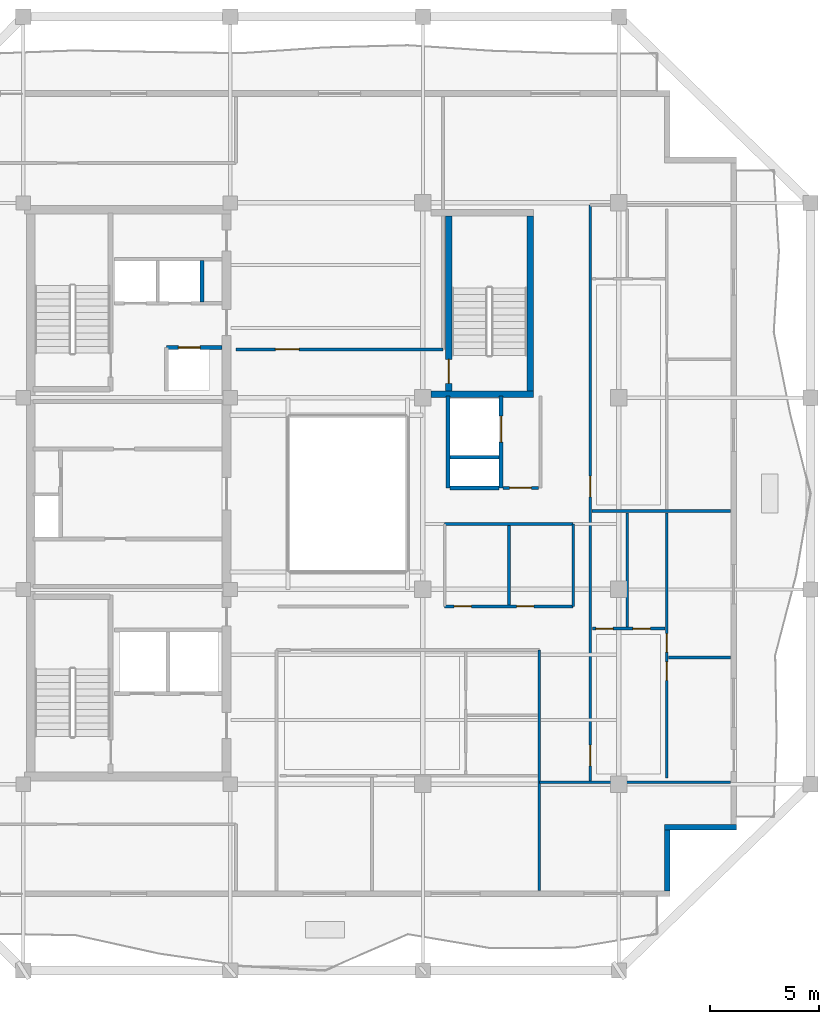
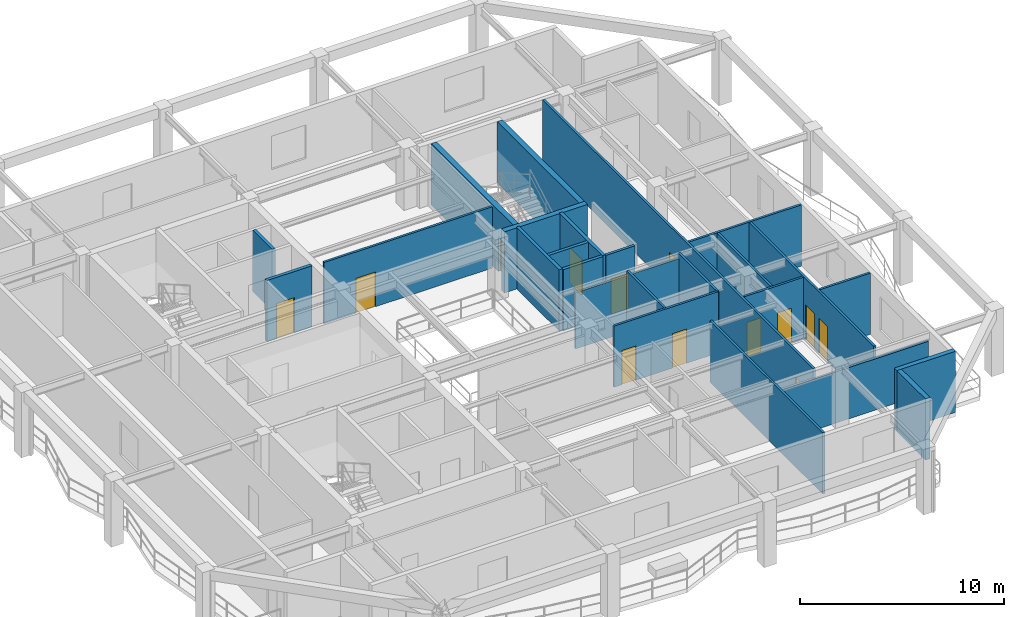
# One storey, part 4 of 10: 25 walls, 13 doors, 13 openings.
"""IFC4 building model written with IfcOpenShell, lengths in metres."""

from ifc_helpers import new_model, si_unit, direction, frame, frame_2d, origin, place, context, subcontext, project, spatial, rectangle, extrude, material, layer, layer_set, type_object, element, fill, save


model = new_model("IFC4")

# Units and contexts
model_context = context("Model", 3, precision=1e-05, world=origin(), true_north=direction((0.0, 1.0)))
body_context = subcontext(model_context, "Body", "Model", "MODEL_VIEW")
ifc_project = project(units=[si_unit("LENGTHUNIT", "METRE"), si_unit("AREAUNIT", "SQUARE_METRE"), si_unit("VOLUMEUNIT", "CUBIC_METRE"), si_unit("PLANEANGLEUNIT", "RADIAN"), si_unit("MASSUNIT", "GRAM", prefix="KILO")], contexts=[model_context])

# Site, building, storey
site_placement = place(None, origin())
site = spatial("IfcSite", under=ifc_project, at=site_placement, CompositionType="ELEMENT")
building_placement = place(site_placement, origin())
building = spatial("IfcBuilding", under=site, at=building_placement, Name="Kundavana Baori Tower", CompositionType="ELEMENT")
storey_placement = place(building_placement, frame((0.0, 0.0, 280.39990234375)))
storey = spatial("IfcBuildingStorey", under=building, at=storey_placement, Name="L69", CompositionType="ELEMENT", Elevation=280.39990234375)

# Walls
ifc_material_1 = material(Name="Kiln-Fired Terracotta Brick-Slip Masonry on Concrete C40/50", Category="masonry")
ifc_layer_1 = layer(ifc_material_1, 0.260009765625, Name="WL-EXT-BRK-260")
ifc_layer_set_1 = layer_set([ifc_layer_1], Name="Kiln-Fired Terracotta Brick-Slip Masonry on Concrete C40/50")
wall_type_1 = type_object("IfcWallType", Name="WL-EXT-BRK-260", PredefinedType="SOLIDWALL", material=ifc_layer_set_1)
wall_1_placement = place(storey_placement, frame((45.02001953125, 10.360107421875, 0.0), z_axis=(0.0, 0.0, 1.0), x_axis=(0.0, 1.0, 0.0)))
element("IfcWall", 1, at=wall_1_placement, inside=storey, type_object=wall_type_1, Name="L69 Exterior Insulated Facade Wall 02", PredefinedType="SOLIDWALL", context=body_context, shape_type="SweptSolid", body=[
    extrude(rectangle(XDim=2.789794921875, YDim=0.260009765625, at=frame_2d((1.39501953125, 0.0))), origin(), (0.0, 0.0, 1.0), 3.66015625),
])
wall_2_placement = place(storey_placement, frame((44.889892578125, 13.280029296875, 0.0), z_axis=(0.0, 0.0, 1.0), x_axis=(1.0, 0.0, 0.0)))
element("IfcWall", 2, at=wall_2_placement, inside=storey, type_object=wall_type_1, Name="L69 Exterior Insulated Facade Wall 03", PredefinedType="SOLIDWALL", context=body_context, shape_type="SweptSolid", body=[
    extrude(rectangle(XDim=3.31005859375, YDim=0.260009765625, at=frame_2d((1.655029296875, 0.0))), origin(), (0.0, 0.0, 1.0), 3.66015625),
])

# Wall, opening, door
ifc_material_2 = material(Name="Fire-Rated Gypsum Drywall on Galvanised Steel Studs", Category="steel")
ifc_layer_2 = layer(ifc_material_2, 0.14990234375, Name="WL-PART-150")
ifc_layer_set_2 = layer_set([ifc_layer_2], Name="Fire-Rated Gypsum Drywall on Galvanised Steel Studs")
wall_type_2 = type_object("IfcWallType", Name="WL-PART-150", PredefinedType="PARTITIONING", material=ifc_layer_set_2)
wall_3_placement = place(storey_placement, frame((37.47998046875, 28.860107421875, 0.0), z_axis=(0.0, 0.0, 1.0), x_axis=(1.0, 0.0, 0.0)))
wall_3 = element("IfcWall", 3, at=wall_3_placement, inside=storey, type_object=wall_type_2, Name="WL-L69-SVLOB-S", PredefinedType="PARTITIONING", context=body_context, shape_type="SweptSolid", body=[
    extrude(rectangle(XDim=1.64013671875, YDim=0.14990234375, at=frame_2d((0.820068359375, 0.0))), origin(), (0.0, 0.0, 1.0), 3.66015625),
])
opening_1_placement = place(wall_3_placement, frame((0.300048828125, 0.0, 0.0)))
opening_1 = element("IfcOpeningElement", 4, at=opening_1_placement, cuts=wall_3, Name="Opening FD-100", PredefinedType="OPENING", context=body_context, shape_type="SweptSolid", body=[
    extrude(rectangle(XDim=1.0, YDim=2.10009765625, at=frame_2d((0.5, 1.050048828125))), frame((0.0, 0.0849609375, 0.0), z_axis=(0.0, -1.0, 0.0), x_axis=(1.0, 0.0, 0.0)), (0.0, 0.0, 1.0), 0.169921875),
])
ifc_material_3 = material(Name="Engineered Teak Fire-Rated Timber Door Leaf", Category="wood")
door_type_1 = type_object("IfcDoorType", Name="DR-FD60-1000", OperationType="NOTDEFINED", PredefinedType="DOOR", material=ifc_material_3)
door_1_placement = place(opening_1_placement, origin())
door_1 = element("IfcDoor", 5, at=door_1_placement, inside=storey, type_object=door_type_1, Name="DR-L69-SVLOB-OUT", OperationType="SINGLE_SWING_LEFT", OverallHeight=2.10009765625, OverallWidth=1.0, PredefinedType="DOOR", context=body_context, shape_type="SweptSolid", body=[
    extrude(rectangle(XDim=1.0, YDim=2.10009765625, at=frame_2d((0.5, 1.050048828125))), frame((0.0, 0.02490234375, 0.0), z_axis=(0.0, -1.0, 0.0), x_axis=(1.0, 0.0, 0.0)), (0.0, 0.0, 1.0), 0.050048828125),
])
fill(opening_1, door_1)

ifc_material_4 = material(Name="Autoclaved Aerated Concrete Blockwork Masonry", Category="masonry")
ifc_layer_3 = layer(ifc_material_4, 0.179931640625, Name="WL-SHAFT-180")
ifc_layer_set_3 = layer_set([ifc_layer_3], Name="Autoclaved Aerated Concrete Blockwork Masonry")
wall_type_3 = type_object("IfcWallType", Name="WL-SHAFT-180", PredefinedType="SOLIDWALL", material=ifc_layer_set_3)
wall_4_placement = place(storey_placement, frame((22.02001953125, 35.31005859375, 0.0), z_axis=(0.0, 0.0, 1.0), x_axis=(1.0, 0.0, 0.0)))
wall_4 = element("IfcWall", 6, at=wall_4_placement, inside=storey, type_object=wall_type_3, Name="WL-L69-LP11-N", PredefinedType="SOLIDWALL", context=body_context, shape_type="SweptSolid", body=[
    extrude(rectangle(XDim=2.56005859375, YDim=0.179931640625, at=frame_2d((1.280029296875, 0.0))), origin(), (0.0, 0.0, 1.0), 3.66015625),
])
opening_2_placement = place(wall_4_placement, frame((0.550048828125, 0.0, 0.0)))
opening_2 = element("IfcOpeningElement", 7, at=opening_2_placement, cuts=wall_4, Name="Opening LD-100", PredefinedType="OPENING", context=body_context, shape_type="SweptSolid", body=[
    extrude(rectangle(XDim=1.0, YDim=2.10009765625, at=frame_2d((0.5, 1.050048828125))), frame((0.0, 0.10009765625, 0.0), z_axis=(0.0, -1.0, 0.0), x_axis=(1.0, 0.0, 0.0)), (0.0, 0.0, 1.0), 0.199951171875),
])
ifc_material_5 = material(Name="Galvanised Steel Fire-Rated Door Leaf", Category="steel")
door_type_2 = type_object("IfcDoorType", Name="DR-SLIDE-LD1000", OperationType="NOTDEFINED", PredefinedType="DOOR", material=ifc_material_5)
door_2_placement = place(opening_2_placement, origin())
door_2 = element("IfcDoor", 8, at=door_2_placement, inside=storey, type_object=door_type_2, Name="DR-L69-LD-LP11", OperationType="DOUBLE_DOOR_SLIDING", OverallHeight=2.10009765625, OverallWidth=1.0, PredefinedType="DOOR", context=body_context, shape_type="SweptSolid", body=[
    extrude(rectangle(XDim=1.0, YDim=2.10009765625, at=frame_2d((0.5, 1.050048828125))), frame((0.0, 0.02490234375, 0.0), z_axis=(0.0, -1.0, 0.0), x_axis=(1.0, 0.0, 0.0)), (0.0, 0.0, 1.0), 0.050048828125),
])
fill(opening_2, door_2)

# Walls
wall_5_placement = place(storey_placement, frame((23.659912109375, 37.39990234375, 0.0), z_axis=(0.0, 0.0, 1.0), x_axis=(0.0, 1.0, 0.0)))
element("IfcWall", 9, at=wall_5_placement, inside=storey, type_object=wall_type_3, Name="WL-L69-HR-DIV2", PredefinedType="SOLIDWALL", context=body_context, shape_type="SweptSolid", body=[
    extrude(rectangle(XDim=1.900146484375, YDim=0.179931640625, at=frame_2d((0.9501953125, 0.0))), origin(), (0.0, 0.0, 1.0), 3.66015625),
])
wall_6_placement = place(storey_placement, frame((34.9599609375, 28.860107421875, 0.0), z_axis=(0.0, 0.0, 1.0), x_axis=(0.0, 1.0, 0.0)))
element("IfcWall", 10, at=wall_6_placement, inside=storey, type_object=wall_type_3, Name="WL-L69-SVL-W", PredefinedType="SOLIDWALL", context=body_context, shape_type="SweptSolid", body=[
    extrude(rectangle(XDim=4.219970703125, YDim=0.179931640625, at=frame_2d((2.10986328125, 0.0))), origin(), (0.0, 0.0, 1.0), 3.66015625),
])

# Wall, opening, door
wall_7_placement = place(storey_placement, frame((37.389892578125, 28.860107421875, 0.0), z_axis=(0.0, 0.0, 1.0), x_axis=(0.0, 1.0, 0.0)))
wall_7 = element("IfcWall", 11, at=wall_7_placement, inside=storey, type_object=wall_type_3, Name="WL-L69-SVL-E", PredefinedType="SOLIDWALL", context=body_context, shape_type="SweptSolid", body=[
    extrude(rectangle(XDim=4.219970703125, YDim=0.179931640625, at=frame_2d((2.10986328125, 0.0))), origin(), (0.0, 0.0, 1.0), 3.66015625),
])
opening_3_placement = place(wall_7_placement, frame((2.10009765625, 0.0, 0.0)))
opening_3 = element("IfcOpeningElement", 12, at=opening_3_placement, cuts=wall_7, Name="Opening LD-120", PredefinedType="OPENING", context=body_context, shape_type="SweptSolid", body=[
    extrude(rectangle(XDim=1.199951171875, YDim=2.1201171875, at=frame_2d((0.60009765625, 1.06005859375))), frame((0.0, 0.10009765625, 0.0), z_axis=(0.0, -1.0, 0.0), x_axis=(1.0, 0.0, 0.0)), (0.0, 0.0, 1.0), 0.199951171875),
])
ifc_material_6 = material(Name="Galvanised Steel Fire-Rated Door Leaf", Category="steel")
door_type_3 = type_object("IfcDoorType", Name="DR-SLIDE-LD1200", OperationType="NOTDEFINED", PredefinedType="DOOR", material=ifc_material_6)
door_3_placement = place(opening_3_placement, frame((1.199951171875, 0.0, 0.0), z_axis=(0.0, 0.0, 1.0), x_axis=(-1.0, 0.0, 0.0)))
door_3 = element("IfcDoor", 13, at=door_3_placement, inside=storey, type_object=door_type_3, Name="DR-L69-LD-SVL1", OperationType="DOUBLE_DOOR_SLIDING", OverallHeight=2.1201171875, OverallWidth=1.199951171875, PredefinedType="DOOR", context=body_context, shape_type="SweptSolid", body=[
    extrude(rectangle(XDim=1.199951171875, YDim=2.1201171875, at=frame_2d((0.60009765625, 1.06005859375))), frame((0.0, 0.02490234375, 0.0), z_axis=(0.0, -1.0, 0.0), x_axis=(1.0, 0.0, 0.0)), (0.0, 0.0, 1.0), 0.050048828125),
])
fill(opening_3, door_3)

# Walls
for number, where, z_axis, x_axis, name in (
    (14, (35.050048828125, 28.860107421875, 0.0), (0.0, 0.0, 1.0), (1.0, 0.0, 0.0), "WL-L69-SVL-S"),
    (15, (35.050048828125, 30.27001953125, 0.0), (0.0, 0.0, 1.0), (1.0, 0.0, 0.0), "WL-L69-SVL-M"),
):
    element("IfcWall", number, at=place(storey_placement, frame(where, z_axis=z_axis, x_axis=x_axis)), inside=storey, type_object=wall_type_3, Name=name, PredefinedType="SOLIDWALL", context=body_context, shape_type="SweptSolid", body=[
        extrude(rectangle(XDim=2.25, YDim=0.179931640625, at=frame_2d((1.125, 0.0))), origin(), (0.0, 0.0, 1.0), 3.66015625),
    ])
ifc_material_7 = material(Name="Concrete C50/60", Category="concrete")
ifc_layer_4 = layer(ifc_material_7, 0.300048828125, Name="WL-ST3-300")
ifc_layer_set_4 = layer_set([ifc_layer_4], Name="Concrete C50/60")
wall_type_4 = type_object("IfcWallType", Name="WL-ST3-300", PredefinedType="SHEAR", material=ifc_layer_set_4)
wall_8_placement = place(storey_placement, frame((34.175048828125, 33.159912109375, 0.0), z_axis=(0.0, 0.0, 1.0), x_axis=(1.0, 0.0, 0.0)))
element("IfcWall", 16, at=wall_8_placement, inside=storey, type_object=wall_type_4, Name="L69 Stair ST3 South Shear Wall", PredefinedType="SHEAR", context=body_context, shape_type="SweptSolid", body=[
    extrude(rectangle(XDim=4.695068359375, YDim=0.300048828125, at=frame_2d((2.34765625, 0.0))), origin(), (0.0, 0.0, 1.0), 3.66015625),
])

# Wall, opening, door
wall_9_placement = place(storey_placement, frame((34.97998046875, 33.31005859375, 0.0), z_axis=(0.0, 0.0, 1.0), x_axis=(0.0, 1.0, 0.0)))
wall_9 = element("IfcWall", 17, at=wall_9_placement, inside=storey, type_object=wall_type_4, Name="L69 Stair ST3 West Shear Wall", PredefinedType="SHEAR", context=body_context, shape_type="SweptSolid", body=[
    extrude(rectangle(XDim=8.030029296875, YDim=0.300048828125, at=frame_2d((4.01513671875, 0.0))), origin(), (0.0, 0.0, 1.0), 3.66015625),
])
opening_4_placement = place(wall_9_placement, frame((0.35009765625, 0.0, 0.0)))
opening_4 = element("IfcOpeningElement", 18, at=opening_4_placement, cuts=wall_9, Name="Opening FD-110", PredefinedType="OPENING", context=body_context, shape_type="SweptSolid", body=[
    extrude(rectangle(XDim=1.10009765625, YDim=2.10009765625, at=frame_2d((0.550048828125, 1.050048828125))), frame((0.0, 0.16015625, 0.0), z_axis=(0.0, -1.0, 0.0), x_axis=(1.0, 0.0, 0.0)), (0.0, 0.0, 1.0), 0.320068359375),
])
ifc_material_8 = material(Name="Galvanised Steel Fire-Rated Door Leaf", Category="steel")
door_type_4 = type_object("IfcDoorType", Name="DR-FD120-1100", OperationType="NOTDEFINED", PredefinedType="DOOR", material=ifc_material_8)
door_4_placement = place(opening_4_placement, origin())
door_4 = element("IfcDoor", 19, at=door_4_placement, inside=storey, type_object=door_type_4, Name="DR-L69-ST3-W", OperationType="SINGLE_SWING_LEFT", OverallHeight=2.10009765625, OverallWidth=1.10009765625, PredefinedType="DOOR", context=body_context, shape_type="SweptSolid", body=[
    extrude(rectangle(XDim=1.10009765625, YDim=2.10009765625, at=frame_2d((0.550048828125, 1.050048828125))), frame((0.0, 0.02490234375, 0.0), z_axis=(0.0, -1.0, 0.0), x_axis=(1.0, 0.0, 0.0)), (0.0, 0.0, 1.0), 0.050048828125),
])
fill(opening_4, door_4)

# Wall
wall_10_placement = place(storey_placement, frame((38.719970703125, 33.31005859375, 0.0), z_axis=(0.0, 0.0, 1.0), x_axis=(0.0, 1.0, 0.0)))
element("IfcWall", 20, at=wall_10_placement, inside=storey, type_object=wall_type_4, Name="L69 Stair ST3 East Shear Wall", PredefinedType="SHEAR", context=body_context, shape_type="SweptSolid", body=[
    extrude(rectangle(XDim=8.030029296875, YDim=0.300048828125, at=frame_2d((4.01513671875, 0.0))), origin(), (0.0, 0.0, 1.0), 3.66015625),
])

# Wall, opening, door
ifc_material_9 = material(Name="Autoclaved Aerated Concrete Blockwork Masonry", Category="masonry")
ifc_layer_5 = layer(ifc_material_9, 0.125, Name="WL-WET-120")
ifc_layer_set_5 = layer_set([ifc_layer_5], Name="Autoclaved Aerated Concrete Blockwork Masonry")
wall_type_5 = type_object("IfcWallType", Name="WL-WET-120", PredefinedType="PLUMBINGWALL", material=ifc_layer_set_5)
wall_11_placement = place(storey_placement, frame((25.219970703125, 35.219970703125, 0.0), z_axis=(0.0, 0.0, 1.0), x_axis=(1.0, 0.0, 0.0)))
wall_11 = element("IfcWall", 21, at=wall_11_placement, inside=storey, type_object=wall_type_5, Name="WL-L69-RN", PredefinedType="PLUMBINGWALL", context=body_context, shape_type="SweptSolid", body=[
    extrude(rectangle(XDim=9.5, YDim=0.125, at=frame_2d((4.75, 0.0))), origin(), (0.0, 0.0, 1.0), 3.66015625),
])
opening_5_placement = place(wall_11_placement, frame((1.800048828125, 0.0, 0.0)))
opening_5 = element("IfcOpeningElement", 22, at=opening_5_placement, cuts=wall_11, Name="Opening ID-110", PredefinedType="OPENING", context=body_context, shape_type="SweptSolid", body=[
    extrude(rectangle(XDim=1.10009765625, YDim=2.080078125, at=frame_2d((0.550048828125, 1.0400390625))), frame((0.0, 0.072509765625, 0.0), z_axis=(0.0, -1.0, 0.0), x_axis=(1.0, 0.0, 0.0)), (0.0, 0.0, 1.0), 0.14501953125),
])
ifc_material_10 = material(Name="Engineered Teak Solid-Core Timber Veneer", Category="wood")
door_type_5 = type_object("IfcDoorType", Name="DR-INT-1100", OperationType="NOTDEFINED", PredefinedType="DOOR", material=ifc_material_10)
door_5_placement = place(opening_5_placement, origin())
door_5 = element("IfcDoor", 23, at=door_5_placement, inside=storey, type_object=door_type_5, Name="DR-L69-RLNGN", OperationType="SINGLE_SWING_RIGHT", OverallHeight=2.080078125, OverallWidth=1.10009765625, PredefinedType="DOOR", context=body_context, shape_type="SweptSolid", body=[
    extrude(rectangle(XDim=1.10009765625, YDim=2.080078125, at=frame_2d((0.550048828125, 1.0400390625))), frame((0.0, 0.02490234375, 0.0), z_axis=(0.0, -1.0, 0.0), x_axis=(1.0, 0.0, 0.0)), (0.0, 0.0, 1.0), 0.050048828125),
])
fill(opening_5, door_5)

# Wall
wall_12_placement = place(storey_placement, frame((39.14990234375, 10.3798828125, 0.0), z_axis=(0.0, 0.0, 1.0), x_axis=(0.0, 1.0, 0.0)))
element("IfcWall", 24, at=wall_12_placement, inside=storey, type_object=wall_type_5, Name="WL-L69-RSEND", PredefinedType="PLUMBINGWALL", context=body_context, shape_type="SweptSolid", body=[
    extrude(rectangle(XDim=11.0400390625, YDim=0.125, at=frame_2d((5.52001953125, 0.0))), origin(), (0.0, 0.0, 1.0), 3.66015625),
])

# Wall, openings, doors
wall_13_placement = place(storey_placement, frame((41.47998046875, 15.35009765625, 0.0), z_axis=(0.0, 0.0, 1.0), x_axis=(0.0, 1.0, 0.0)))
wall_13 = element("IfcWall", 25, at=wall_13_placement, inside=storey, type_object=wall_type_5, Name="WL-L69-RE", PredefinedType="PLUMBINGWALL", context=body_context, shape_type="SweptSolid", body=[
    extrude(rectangle(XDim=26.5, YDim=0.125, at=frame_2d((13.25, 0.0))), origin(), (0.0, 0.0, 1.0), 3.66015625),
])
opening_6_placement = place(wall_13_placement, frame((0.75, 0.0, 0.0)))
opening_6 = element("IfcOpeningElement", 26, at=opening_6_placement, cuts=wall_13, Name="Opening FD-095", PredefinedType="OPENING", context=body_context, shape_type="SweptSolid", body=[
    extrude(rectangle(XDim=0.949951171875, YDim=2.10009765625, at=frame_2d((0.47509765625, 1.050048828125))), frame((0.0, 0.072509765625, 0.0), z_axis=(0.0, -1.0, 0.0), x_axis=(1.0, 0.0, 0.0)), (0.0, 0.0, 1.0), 0.14501953125),
])
opening_7_placement = place(wall_13_placement, frame((13.10009765625, 0.0, 0.0)))
opening_7 = element("IfcOpeningElement", 27, at=opening_7_placement, cuts=wall_13, Name="Opening FD-095", PredefinedType="OPENING", context=body_context, shape_type="SweptSolid", body=[
    extrude(rectangle(XDim=0.949951171875, YDim=2.10009765625, at=frame_2d((0.47509765625, 1.050048828125))), frame((0.0, 0.072509765625, 0.0), z_axis=(0.0, -1.0, 0.0), x_axis=(1.0, 0.0, 0.0)), (0.0, 0.0, 1.0), 0.14501953125),
])
ifc_material_11 = material(Name="Engineered Teak Fire-Rated Timber Door Leaf", Category="wood")
door_type_6 = type_object("IfcDoorType", Name="DR-FD60-950", OperationType="NOTDEFINED", PredefinedType="DOOR", material=ifc_material_11)
door_6_placement = place(opening_6_placement, origin())
door_6 = element("IfcDoor", 28, at=door_6_placement, inside=storey, type_object=door_type_6, Name="DR-L69-E1-ENT", OperationType="SINGLE_SWING_LEFT", OverallHeight=2.10009765625, OverallWidth=0.949951171875, PredefinedType="DOOR", context=body_context, shape_type="SweptSolid", body=[
    extrude(rectangle(XDim=0.949951171875, YDim=2.10009765625, at=frame_2d((0.47509765625, 1.050048828125))), frame((0.0, 0.02490234375, 0.0), z_axis=(0.0, -1.0, 0.0), x_axis=(1.0, 0.0, 0.0)), (0.0, 0.0, 1.0), 0.050048828125),
])
fill(opening_6, door_6)
door_7_placement = place(opening_7_placement, origin())
door_7 = element("IfcDoor", 29, at=door_7_placement, inside=storey, type_object=door_type_6, Name="DR-L69-E2-ENT", OperationType="SINGLE_SWING_LEFT", OverallHeight=2.10009765625, OverallWidth=0.949951171875, PredefinedType="DOOR", context=body_context, shape_type="SweptSolid", body=[
    extrude(rectangle(XDim=0.949951171875, YDim=2.10009765625, at=frame_2d((0.47509765625, 1.050048828125))), frame((0.0, 0.02490234375, 0.0), z_axis=(0.0, -1.0, 0.0), x_axis=(1.0, 0.0, 0.0)), (0.0, 0.0, 1.0), 0.050048828125),
])
fill(opening_7, door_7)

# Wall
wall_14_placement = place(storey_placement, frame((39.14990234375, 15.35009765625, 0.0), z_axis=(0.0, 0.0, 1.0), x_axis=(1.0, 0.0, 0.0)))
element("IfcWall", 30, at=wall_14_placement, inside=storey, type_object=wall_type_5, Name="WL-L69-RES", PredefinedType="PLUMBINGWALL", context=body_context, shape_type="SweptSolid", body=[
    extrude(rectangle(XDim=8.77001953125, YDim=0.125, at=frame_2d((4.385009765625, 0.0))), origin(), (0.0, 0.0, 1.0), 3.06005859375),
])

# Wall, openings, doors
wall_15_placement = place(storey_placement, frame((45.00390625, 15.530029296875, 0.0), z_axis=(0.0, 0.0, 1.0), x_axis=(0.0, 1.0, 0.0)))
wall_15 = element("IfcWall", 31, at=wall_15_placement, inside=storey, type_object=wall_type_5, Name="WL-L69-E1-VT", PredefinedType="PLUMBINGWALL", context=body_context, shape_type="SweptSolid", body=[
    extrude(rectangle(XDim=12.18994140625, YDim=0.125, at=frame_2d((6.094970703125, 0.0))), origin(), (0.0, 0.0, 1.0), 3.66015625),
])
opening_8_placement = place(wall_15_placement, frame((4.489990234375, 0.0, 0.0)))
opening_8 = element("IfcOpeningElement", 32, at=opening_8_placement, cuts=wall_15, Name="Opening ID-085", PredefinedType="OPENING", context=body_context, shape_type="SweptSolid", body=[
    extrude(rectangle(XDim=0.85009765625, YDim=2.080078125, at=frame_2d((0.425048828125, 1.0400390625))), frame((0.0, 0.072509765625, 0.0), z_axis=(0.0, -1.0, 0.0), x_axis=(1.0, 0.0, 0.0)), (0.0, 0.0, 1.0), 0.14501953125),
])
opening_9_placement = place(wall_15_placement, frame((5.7900390625, 0.0, 0.0)))
opening_9 = element("IfcOpeningElement", 33, at=opening_9_placement, cuts=wall_15, Name="Opening ID-085", PredefinedType="OPENING", context=body_context, shape_type="SweptSolid", body=[
    extrude(rectangle(XDim=0.85009765625, YDim=2.080078125, at=frame_2d((0.425048828125, 1.0400390625))), frame((0.0, 0.072509765625, 0.0), z_axis=(0.0, -1.0, 0.0), x_axis=(1.0, 0.0, 0.0)), (0.0, 0.0, 1.0), 0.14501953125),
])
ifc_material_12 = material(Name="Engineered Teak Solid-Core Timber Veneer", Category="wood")
door_type_7 = type_object("IfcDoorType", Name="DR-INT-850", OperationType="NOTDEFINED", PredefinedType="DOOR", material=ifc_material_12)
door_8_placement = place(opening_8_placement, origin())
door_8 = element("IfcDoor", 34, at=door_8_placement, inside=storey, type_object=door_type_7, Name="DR-L69-E1-B1", OperationType="SINGLE_SWING_LEFT", OverallHeight=2.080078125, OverallWidth=0.85009765625, PredefinedType="DOOR", context=body_context, shape_type="SweptSolid", body=[
    extrude(rectangle(XDim=0.85009765625, YDim=2.080078125, at=frame_2d((0.425048828125, 1.0400390625))), frame((0.0, 0.02490234375, 0.0), z_axis=(0.0, -1.0, 0.0), x_axis=(1.0, 0.0, 0.0)), (0.0, 0.0, 1.0), 0.050048828125),
])
fill(opening_8, door_8)
door_9_placement = place(opening_9_placement, origin())
door_9 = element("IfcDoor", 35, at=door_9_placement, inside=storey, type_object=door_type_7, Name="DR-L69-E1-B2", OperationType="SINGLE_SWING_RIGHT", OverallHeight=2.080078125, OverallWidth=0.85009765625, PredefinedType="DOOR", context=body_context, shape_type="SweptSolid", body=[
    extrude(rectangle(XDim=0.85009765625, YDim=2.080078125, at=frame_2d((0.425048828125, 1.0400390625))), frame((0.0, 0.02490234375, 0.0), z_axis=(0.0, -1.0, 0.0), x_axis=(1.0, 0.0, 0.0)), (0.0, 0.0, 1.0), 0.050048828125),
])
fill(opening_9, door_9)

wall_16_placement = place(storey_placement, frame((41.580078125, 22.39990234375, 0.0), z_axis=(0.0, 0.0, 1.0), x_axis=(1.0, 0.0, 0.0)))
wall_16 = element("IfcWall", 36, at=wall_16_placement, inside=storey, type_object=wall_type_5, Name="WL-L69-E1-KH", PredefinedType="PLUMBINGWALL", context=body_context, shape_type="SweptSolid", body=[
    extrude(rectangle(XDim=3.343994140625, YDim=0.125, at=frame_2d((1.671875, 0.0))), origin(), (0.0, 0.0, 1.0), 3.66015625),
])
opening_10_placement = place(wall_16_placement, frame((0.159912109375, 0.0, 0.0)))
opening_10 = element("IfcOpeningElement", 37, at=opening_10_placement, cuts=wall_16, Name="Opening WD-080", PredefinedType="OPENING", context=body_context, shape_type="SweptSolid", body=[
    extrude(rectangle(XDim=0.800048828125, YDim=2.050048828125, at=frame_2d((0.39990234375, 1.02490234375))), frame((0.0, 0.072509765625, 0.0), z_axis=(0.0, -1.0, 0.0), x_axis=(1.0, 0.0, 0.0)), (0.0, 0.0, 1.0), 0.14501953125),
])
opening_11_placement = place(wall_16_placement, frame((1.864990234375, 0.0, 0.0)))
opening_11 = element("IfcOpeningElement", 38, at=opening_11_placement, cuts=wall_16, Name="Opening WD-080", PredefinedType="OPENING", context=body_context, shape_type="SweptSolid", body=[
    extrude(rectangle(XDim=0.800048828125, YDim=2.050048828125, at=frame_2d((0.39990234375, 1.02490234375))), frame((0.0, 0.072509765625, 0.0), z_axis=(0.0, -1.0, 0.0), x_axis=(1.0, 0.0, 0.0)), (0.0, 0.0, 1.0), 0.14501953125),
])
ifc_material_13 = material(Name="Engineered Teak Solid-Core Timber Veneer", Category="wood")
door_type_8 = type_object("IfcDoorType", Name="DR-WET-800", OperationType="NOTDEFINED", PredefinedType="DOOR", material=ifc_material_13)
door_10_placement = place(opening_10_placement, origin())
door_10 = element("IfcDoor", 39, at=door_10_placement, inside=storey, type_object=door_type_8, Name="DR-L69-E1-BT", OperationType="SINGLE_SWING_LEFT", OverallHeight=2.050048828125, OverallWidth=0.800048828125, PredefinedType="DOOR", context=body_context, shape_type="SweptSolid", body=[
    extrude(rectangle(XDim=0.800048828125, YDim=2.050048828125, at=frame_2d((0.39990234375, 1.02490234375))), frame((0.0, 0.02490234375, 0.0), z_axis=(0.0, -1.0, 0.0), x_axis=(1.0, 0.0, 0.0)), (0.0, 0.0, 1.0), 0.050048828125),
])
fill(opening_10, door_10)
door_11_placement = place(opening_11_placement, origin())
door_11 = element("IfcDoor", 40, at=door_11_placement, inside=storey, type_object=door_type_8, Name="DR-L69-E1-KT", OperationType="SINGLE_SWING_RIGHT", OverallHeight=2.050048828125, OverallWidth=0.800048828125, PredefinedType="DOOR", context=body_context, shape_type="SweptSolid", body=[
    extrude(rectangle(XDim=0.800048828125, YDim=2.050048828125, at=frame_2d((0.39990234375, 1.02490234375))), frame((0.0, 0.02490234375, 0.0), z_axis=(0.0, -1.0, 0.0), x_axis=(1.0, 0.0, 0.0)), (0.0, 0.0, 1.0), 0.050048828125),
])
fill(opening_11, door_11)

# Walls
wall_17_placement = place(storey_placement, frame((43.18505859375, 22.47998046875, 0.0), z_axis=(0.0, 0.0, 1.0), x_axis=(0.0, 1.0, 0.0)))
element("IfcWall", 41, at=wall_17_placement, inside=storey, type_object=wall_type_5, Name="WL-L69-E1-BV", PredefinedType="PLUMBINGWALL", context=body_context, shape_type="SweptSolid", body=[
    extrude(rectangle(XDim=5.239990234375, YDim=0.125, at=frame_2d((2.6201171875, 0.0))), origin(), (0.0, 0.0, 1.0), 3.66015625),
])
wall_18_placement = place(storey_placement, frame((45.083984375, 21.070068359375, 0.0), z_axis=(0.0, 0.0, 1.0), x_axis=(1.0, 0.0, 0.0)))
element("IfcWall", 42, at=wall_18_placement, inside=storey, type_object=wall_type_5, Name="WL-L69-E1-BDH", PredefinedType="PLUMBINGWALL", context=body_context, shape_type="SweptSolid", body=[
    extrude(rectangle(XDim=2.8359375, YDim=0.125, at=frame_2d((1.41796875, 0.0))), origin(), (0.0, 0.0, 1.0), 3.66015625),
])
wall_19_placement = place(storey_placement, frame((41.56005859375, 27.800048828125, 0.0), z_axis=(0.0, 0.0, 1.0), x_axis=(1.0, 0.0, 0.0)))
element("IfcWall", 43, at=wall_19_placement, inside=storey, type_object=wall_type_5, Name="WL-L69-RED1", PredefinedType="PLUMBINGWALL", context=body_context, shape_type="SweptSolid", body=[
    extrude(rectangle(XDim=6.35986328125, YDim=0.125, at=frame_2d((3.179931640625, 0.0))), origin(), (0.0, 0.0, 1.0), 3.66015625),
])

# Wall, openings, doors
wall_20_placement = place(storey_placement, frame((34.800048828125, 23.419921875, 0.0), z_axis=(0.0, 0.0, 1.0), x_axis=(1.0, 0.0, 0.0)))
wall_20 = element("IfcWall", 44, at=wall_20_placement, inside=storey, type_object=wall_type_5, Name="WL-L69-ALS", PredefinedType="PLUMBINGWALL", context=body_context, shape_type="SweptSolid", body=[
    extrude(rectangle(XDim=5.89990234375, YDim=0.125, at=frame_2d((2.949951171875, 0.0))), origin(), (0.0, 0.0, 1.0), 3.66015625),
])
opening_12_placement = place(wall_20_placement, frame((0.429931640625, 0.0, 0.0)))
opening_12 = element("IfcOpeningElement", 45, at=opening_12_placement, cuts=wall_20, Name="Opening WD-080", PredefinedType="OPENING", context=body_context, shape_type="SweptSolid", body=[
    extrude(rectangle(XDim=0.800048828125, YDim=2.050048828125, at=frame_2d((0.39990234375, 1.02490234375))), frame((0.0, 0.072509765625, 0.0), z_axis=(0.0, -1.0, 0.0), x_axis=(1.0, 0.0, 0.0)), (0.0, 0.0, 1.0), 0.14501953125),
])
opening_13_placement = place(wall_20_placement, frame((3.300048828125, 0.0, 0.0)))
opening_13 = element("IfcOpeningElement", 46, at=opening_13_placement, cuts=wall_20, Name="Opening WD-080", PredefinedType="OPENING", context=body_context, shape_type="SweptSolid", body=[
    extrude(rectangle(XDim=0.800048828125, YDim=2.050048828125, at=frame_2d((0.39990234375, 1.02490234375))), frame((0.0, 0.072509765625, 0.0), z_axis=(0.0, -1.0, 0.0), x_axis=(1.0, 0.0, 0.0)), (0.0, 0.0, 1.0), 0.14501953125),
])
door_12_placement = place(opening_12_placement, origin())
door_12 = element("IfcDoor", 47, at=door_12_placement, inside=storey, type_object=door_type_8, Name="DR-L69-RALC1", OperationType="SINGLE_SWING_LEFT", OverallHeight=2.050048828125, OverallWidth=0.800048828125, PredefinedType="DOOR", context=body_context, shape_type="SweptSolid", body=[
    extrude(rectangle(XDim=0.800048828125, YDim=2.050048828125, at=frame_2d((0.39990234375, 1.02490234375))), frame((0.0, 0.02490234375, 0.0), z_axis=(0.0, -1.0, 0.0), x_axis=(1.0, 0.0, 0.0)), (0.0, 0.0, 1.0), 0.050048828125),
])
fill(opening_12, door_12)
door_13_placement = place(opening_13_placement, origin())
door_13 = element("IfcDoor", 48, at=door_13_placement, inside=storey, type_object=door_type_8, Name="DR-L69-RALC2", OperationType="SINGLE_SWING_LEFT", OverallHeight=2.050048828125, OverallWidth=0.800048828125, PredefinedType="DOOR", context=body_context, shape_type="SweptSolid", body=[
    extrude(rectangle(XDim=0.800048828125, YDim=2.050048828125, at=frame_2d((0.39990234375, 1.02490234375))), frame((0.0, 0.02490234375, 0.0), z_axis=(0.0, -1.0, 0.0), x_axis=(1.0, 0.0, 0.0)), (0.0, 0.0, 1.0), 0.050048828125),
])
fill(opening_13, door_13)

# Walls
wall_21_placement = place(storey_placement, frame((34.800048828125, 27.199951171875, 0.0), z_axis=(0.0, 0.0, 1.0), x_axis=(1.0, 0.0, 0.0)))
element("IfcWall", 49, at=wall_21_placement, inside=storey, type_object=wall_type_5, Name="WL-L69-ALN", PredefinedType="PLUMBINGWALL", context=body_context, shape_type="SweptSolid", body=[
    extrude(rectangle(XDim=5.89990234375, YDim=0.125, at=frame_2d((2.949951171875, 0.0))), origin(), (0.0, 0.0, 1.0), 3.360107421875),
])
wall_22_placement = place(storey_placement, frame((40.699951171875, 23.419921875, 0.0), z_axis=(0.0, 0.0, 1.0), x_axis=(0.0, 1.0, 0.0)))
element("IfcWall", 50, at=wall_22_placement, inside=storey, type_object=wall_type_5, Name="WL-L69-ALE", PredefinedType="PLUMBINGWALL", context=body_context, shape_type="SweptSolid", body=[
    extrude(rectangle(XDim=3.780029296875, YDim=0.125, at=frame_2d((1.89013671875, 0.0))), origin(), (0.0, 0.0, 1.0), 3.66015625),
])
wall_23_placement = place(storey_placement, frame((37.75, 23.47998046875, 0.0), z_axis=(0.0, 0.0, 1.0), x_axis=(0.0, 1.0, 0.0)))
element("IfcWall", 51, at=wall_23_placement, inside=storey, type_object=wall_type_5, Name="WL-L69-ALD1", PredefinedType="PLUMBINGWALL", context=body_context, shape_type="SweptSolid", body=[
    extrude(rectangle(XDim=3.659912109375, YDim=0.125, at=frame_2d((1.830078125, 0.0))), origin(), (0.0, 0.0, 1.0), 3.66015625),
])

save(model, "model.ifc")
